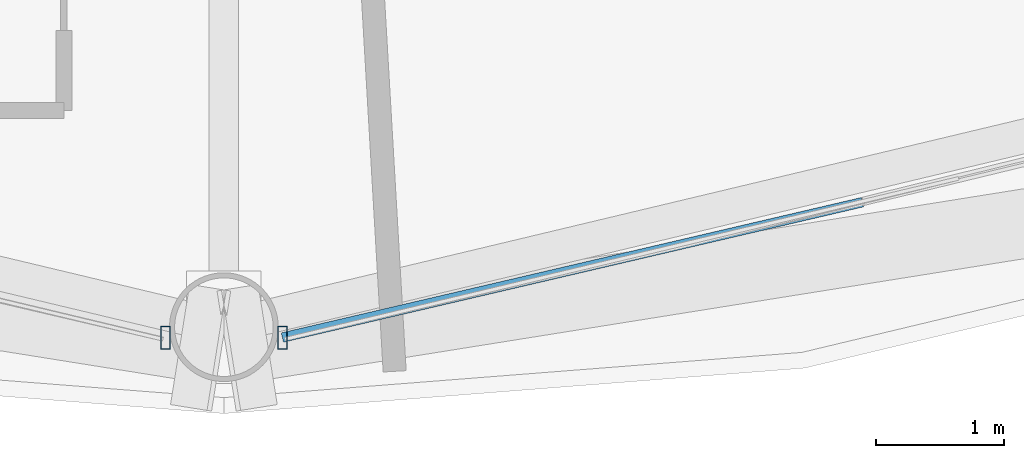
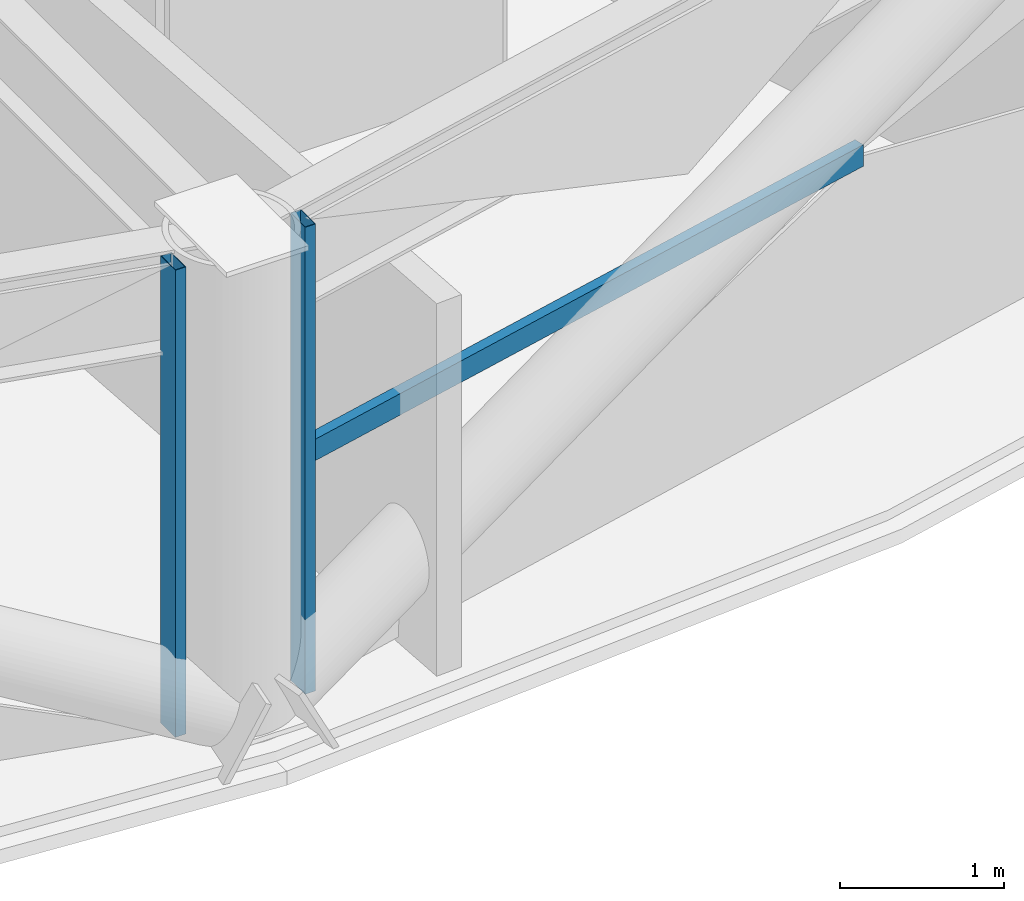
# One storey, part 4 of 31: 3 members, 2 elements without a shape of their own.
"""IFC4 building model written with IfcOpenShell, lengths in metres."""

from ifc_helpers import new_model, si_unit, direction, frame, origin, origin_2d, place, context, subcontext, project, spatial, hollow_rectangle, extrude, material, layer, layer_set, material_profile, profile_set, type_object, element, aggregate, save


model = new_model("IFC4")

# Units and contexts
model_context = context("Model", 3, precision=1e-05, world=origin(), true_north=direction((0.0, 1.0)))
body_context = subcontext(model_context, "Body", "Model", "MODEL_VIEW")
ifc_project = project(units=[si_unit("LENGTHUNIT", "METRE"), si_unit("AREAUNIT", "SQUARE_METRE"), si_unit("VOLUMEUNIT", "CUBIC_METRE"), si_unit("PLANEANGLEUNIT", "RADIAN"), si_unit("MASSUNIT", "GRAM", prefix="KILO")], contexts=[model_context])

# Site, building, storey
site_placement = place(None, origin())
site = spatial("IfcSite", under=ifc_project, at=site_placement, CompositionType="ELEMENT")
building_placement = place(site_placement, origin())
building = spatial("IfcBuilding", under=site, at=building_placement, Name="Vantalir Tower", CompositionType="ELEMENT")
storey_placement = place(building_placement, frame((0.0, 0.0, 34.5)))
storey = spatial("IfcBuildingStorey", under=building, at=storey_placement, Name="L07", CompositionType="ELEMENT", Elevation=34.5)

# Curtain wall, member
ifc_material_1 = material(Name="Champagne-silver PVDF aluminium and double-silver Low-E glass", Category="aluminium")
ifc_layer = layer(ifc_material_1, 0.18994140625)
ifc_layer_set = layer_set([ifc_layer], Name="Champagne-silver PVDF aluminium and double-silver Low-E glass")
curtain_wall_type = type_object("IfcCurtainWallType", Name="CW-DIAMOND-Z1", PredefinedType="USERDEFINED", material=ifc_layer_set)
curtain_wall_1_placement = place(storey_placement, origin())
curtain_wall_1 = element("IfcCurtainWall", 1, at=curtain_wall_1_placement, inside=storey, type_object=curtain_wall_type, Name="L07 Quilted Pyramid-Diamond Curtain Wall S09", ObjectType="UNITISED CURTAIN WALL", PredefinedType="USERDEFINED")
ifc_material_2 = material(Name="Champagne-silver PVDF aluminium 6063-T6", Category="aluminium")
ifc_material_profile_1 = material_profile(ifc_material_2, hollow_rectangle(XDim=0.074951171875, YDim=0.179931640625, WallThickness=0.00390625, at=origin_2d()), Name="Champagne-silver PVDF aluminium 6063-T6")
ifc_profile_set_1 = profile_set([ifc_material_profile_1], Name="Champagne-silver PVDF aluminium 6063-T6")
member_type_1 = type_object("IfcMemberType", Name="CWM-180x75", PredefinedType="MULLION", material=ifc_profile_set_1)
member_1_placement = place(storey_placement, frame((31.04296875, 2.2548828125, 0.044921875), z_axis=(0.0, 0.0, 1.0), x_axis=(1.0, 0.0, 0.0)))
member_1 = element("IfcMember", 2, at=member_1_placement, type_object=member_type_1, Name="CW-L07-S09 Mullion 2", PredefinedType="MULLION", context=body_context, shape_type="SweptSolid", body=[
    extrude(hollow_rectangle(XDim=0.074951171875, YDim=0.179931640625, WallThickness=0.00390625, at=origin_2d()), origin(), (0.0, 0.0, 1.0), 3.47998046875),
])
aggregate(curtain_wall_1, [member_1])

# Curtain wall, members
curtain_wall_2_placement = place(storey_placement, origin())
curtain_wall_2 = element("IfcCurtainWall", 3, at=curtain_wall_2_placement, inside=storey, type_object=curtain_wall_type, Name="L07 Quilted Pyramid-Diamond Curtain Wall S10", ObjectType="UNITISED CURTAIN WALL", PredefinedType="USERDEFINED")
member_2_placement = place(storey_placement, frame((31.95703125, 2.2548828125, 0.044921875), z_axis=(0.0, 0.0, 1.0), x_axis=(1.0, 0.0, 0.0)))
member_2 = element("IfcMember", 4, at=member_2_placement, type_object=member_type_1, Name="CW-L07-S10 Mullion 1", PredefinedType="MULLION", context=body_context, shape_type="SweptSolid", body=[
    extrude(hollow_rectangle(XDim=0.074951171875, YDim=0.179931640625, WallThickness=0.00390625, at=origin_2d()), origin(), (0.0, 0.0, 1.0), 3.47998046875),
])
ifc_material_profile_2 = material_profile(ifc_material_2, hollow_rectangle(XDim=0.074951171875, YDim=0.159912109375, WallThickness=0.00390625, at=origin_2d()), Name="Champagne-silver PVDF aluminium 6063-T6")
ifc_profile_set_2 = profile_set([ifc_material_profile_2], Name="Champagne-silver PVDF aluminium 6063-T6")
member_type_2 = type_object("IfcMemberType", Name="CWT-160x75", PredefinedType="USERDEFINED", material=ifc_profile_set_2)
member_3_placement = place(storey_placement, frame((31.95703125, 2.2548828125, 1.784912109375), z_axis=(0.973835402479, 0.227254502438, 0.0), x_axis=(-0.227254502438, 0.973835402479, 0.0)))
member_3 = element("IfcMember", 5, at=member_3_placement, type_object=member_type_2, Name="CW-L07-S10 Pyramid Fold Ridge Transom", ObjectType="TRANSOM", PredefinedType="USERDEFINED", context=body_context, shape_type="SweptSolid", body=[
    extrude(hollow_rectangle(XDim=0.074951171875, YDim=0.159912109375, WallThickness=0.00390625, at=origin_2d()), origin(), (0.0, 0.0, 1.0), 4.65185546875),
])
aggregate(curtain_wall_2, [member_2, member_3])

save(model, "model.ifc")
